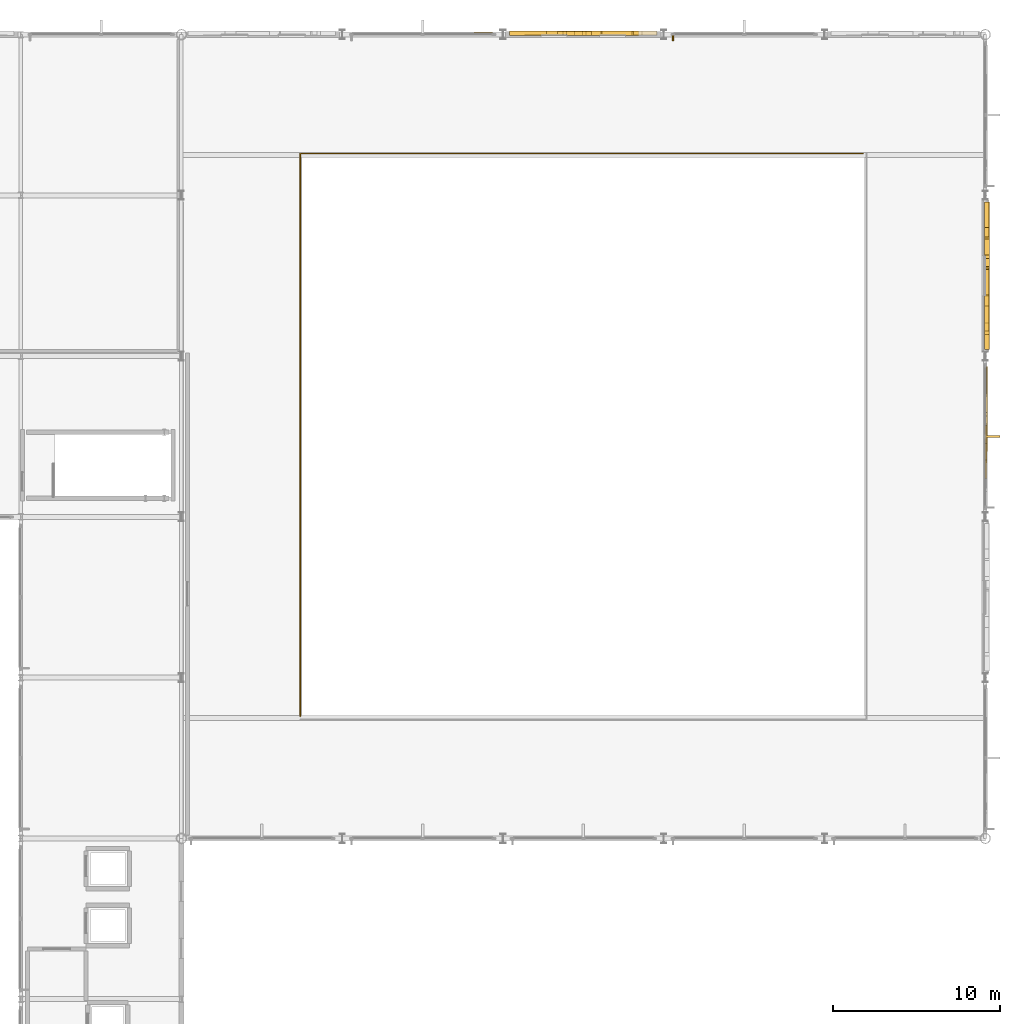
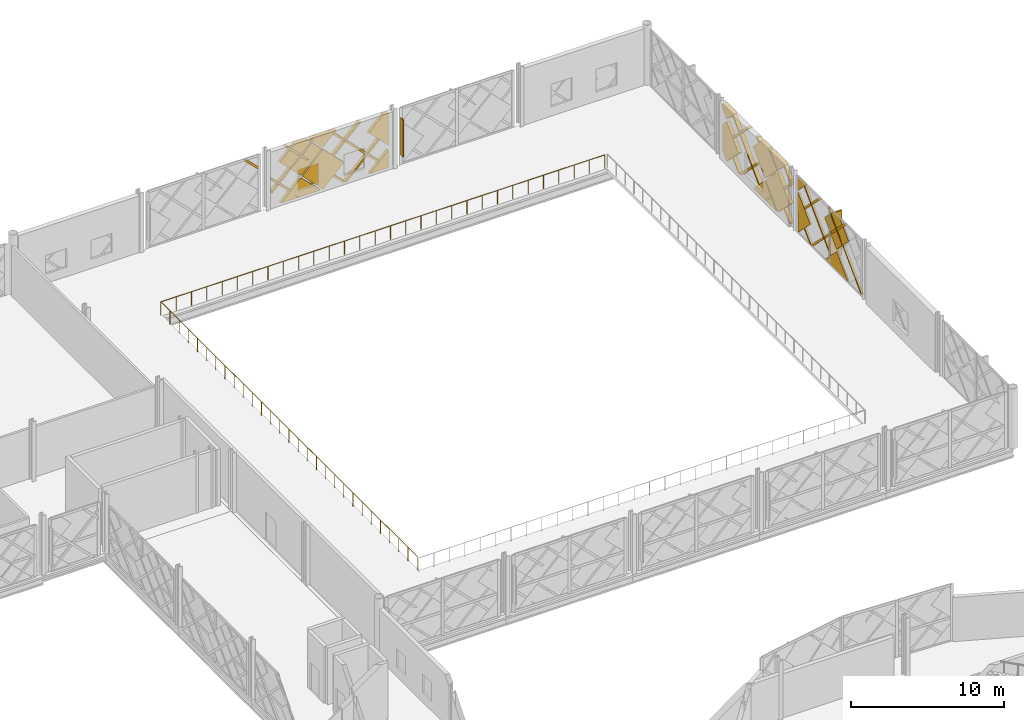
# One storey, part 76 of 77: 36 coverings, 1 railing, 1 shading device.
"""IFC4 building model written with IfcOpenShell, lengths in metres."""

from ifc_helpers import new_model, si_unit, direction, frame, origin, origin_2d, place, context, subcontext, project, spatial, polyline, rectangle, circle, outline, extrude, material, layer, layer_set, type_object, element, save


model = new_model("IFC4")

# Units and contexts
model_context = context("Model", 3, precision=1e-05, world=origin(), true_north=direction((0.0, 1.0)))
body_context = subcontext(model_context, "Body", "Model", "MODEL_VIEW")
ifc_project = project(units=[si_unit("LENGTHUNIT", "METRE"), si_unit("AREAUNIT", "SQUARE_METRE"), si_unit("VOLUMEUNIT", "CUBIC_METRE"), si_unit("PLANEANGLEUNIT", "RADIAN"), si_unit("MASSUNIT", "GRAM", prefix="KILO")], contexts=[model_context])

# Site, building, storey
site_placement = place(None, origin())
site = spatial("IfcSite", under=ifc_project, at=site_placement, CompositionType="ELEMENT")
building_placement = place(site_placement, origin())
building = spatial("IfcBuilding", under=site, at=building_placement, Name="Zevrakil Square Congress Hotel", CompositionType="ELEMENT")
storey_placement = place(building_placement, frame((0.0, 0.0, 9.89990234375)))
storey = spatial("IfcBuildingStorey", under=building, at=storey_placement, Name="L03", CompositionType="ELEMENT", Elevation=9.89990234375)

# Coverings
ifc_material_1 = material(Name="Architectural White Fibre-C GRC", Category="concrete")
ifc_layer_1 = layer(ifc_material_1, 0.06494140625)
ifc_layer_set_1 = layer_set([ifc_layer_1], Name="Architectural White Fibre-C GRC")
covering_type_1 = type_object("IfcCoveringType", Name="COV-DIA-WHITE", PredefinedType="CLADDING", material=ifc_layer_set_1)
covering_1_placement = place(storey_placement, frame((144.590087890625, 113.0, 0.080078125), z_axis=(0.0, 0.999999760125, 0.000692640526), x_axis=(1.0, 0.0, 0.0)))
element("IfcCovering", 1, at=covering_1_placement, inside=storey, type_object=covering_type_1, Name="L03 45-degree white GRC diamond facade cassette 813", PredefinedType="CLADDING", context=body_context, shape_type="SweptSolid", body=[
    extrude(outline(polyline([(0.0, 0.0), (1.409912109375, 0.0), (1.409912109375, -1.4099124475784228), (0.0, 0.0)])), origin(), (0.0, 0.0, -1.0), 0.239990234375),
])
covering_2_placement = place(storey_placement, frame((139.3798828125, 112.9990234375, 1.590087890625), z_axis=(0.0, 0.999999790873, 0.000646725815), x_axis=(-0.707049537273, 0.000457341227, -0.707163872579)))
element("IfcCovering", 2, at=covering_2_placement, inside=storey, type_object=covering_type_1, Name="L03 45-degree white GRC diamond facade cassette 814", PredefinedType="CLADDING", context=body_context, shape_type="SweptSolid", body=[
    extrude(outline(polyline([(0.0, 0.0), (2.135303886660825, 0.0), (0.00017309405212095896, -2.1354765061406087), (0.0, 0.0)])), origin(), (0.0, 0.0, -1.0), 0.239990234375),
])
covering_3_placement = place(storey_placement, frame((141.06005859375, 112.998046875, 3.27001953125), z_axis=(0.0, 0.999999811377, 0.000614203339), x_axis=(-0.707161000837, 0.000434274042, -0.707052424012)))
element("IfcCovering", 3, at=covering_3_placement, inside=storey, type_object=covering_type_1, Name="L03 45-degree white GRC diamond facade cassette 815", PredefinedType="CLADDING", context=body_context, shape_type="SweptSolid", body=[
    extrude(outline(polyline([(0.0, 0.0), (2.2485514454867683, 0.0), (2.2483792228863573, -2.248724065739994), (-0.0001721960923970478, -2.248378798790573), (0.0, 0.0)])), origin(), (0.0, 0.0, -1.0), 0.239990234375),
])
covering_4_placement = place(storey_placement, frame((144.510009765625, 112.998046875, 3.360107421875), z_axis=(6.6594553e-05, 0.999999832135, 0.0005755821), x_axis=(0.707106739346, 0.00035990858, -0.707106731433)))
element("IfcCovering", 4, at=covering_4_placement, inside=storey, type_object=covering_type_1, Name="L03 45-degree white GRC diamond facade cassette 816", PredefinedType="CLADDING", context=body_context, shape_type="SweptSolid", body=[
    extrude(outline(polyline([(0.0, 0.0), (2.1071645243865915, 0.0), (0.27569541471321635, -1.8314688986077599), (-2.548998729867691e-07, -1.5557731975905282), (0.0, 0.0)])), origin(), (0.0, 0.0, -1.0), 0.239990234375),
])
covering_5_placement = place(storey_placement, frame((137.7900390625, 112.998046875, 3.360107421875), z_axis=(0.0, 0.999999844268, 0.000558088716), x_axis=(0.707052454845, 0.000394658632, -0.707160993228)))
element("IfcCovering", 5, at=covering_5_placement, inside=storey, type_object=covering_type_1, Name="L03 45-degree white GRC diamond facade cassette 817", PredefinedType="CLADDING", context=body_context, shape_type="SweptSolid", body=[
    extrude(outline(polyline([(0.0, 0.0), (2.248551347367175, 2.220446049250313e-16), (2.248378472741789, -2.2487239675779023), (0.6927779042518377, -2.248777258240004), (-0.00029231210580393796, -1.5556005419386392), (0.0, 0.0)])), origin(), (0.0, 0.0, -1.0), 0.239990234375),
])
covering_6_placement = place(storey_placement, frame((141.06005859375, 112.997802734375, 3.4501953125), z_axis=(0.0, 0.999999883142, 0.000483442051), x_axis=(0.707106739871, -0.000341845173, 0.707106739871)))
element("IfcCovering", 6, at=covering_6_placement, inside=storey, type_object=covering_type_1, Name="L03 45-degree white GRC diamond facade cassette 818", PredefinedType="CLADDING", context=body_context, shape_type="SweptSolid", body=[
    extrude(outline(polyline([(0.0, 0.0), (1.4283695921344428, 0.0), (1.6691658821788025e-07, -1.4283695921344328), (0.0, 0.0)])), origin(), (0.0, 0.0, -1.0), 0.239990234375),
])
covering_7_placement = place(storey_placement, frame((165.694091796875, 87.8798828125, 1.590087890625), z_axis=(0.999999790873, 0.0, 0.000646725815), x_axis=(0.000457304257, 0.707106707249, -0.707106707249)))
element("IfcCovering", 7, at=covering_7_placement, inside=storey, type_object=covering_type_1, Name="L03 45-degree white GRC diamond facade cassette 960", PredefinedType="CLADDING", context=body_context, shape_type="SweptSolid", body=[
    extrude(outline(polyline([(0.0, 0.0), (2.1354765131557993, 0.0), (0.00017308005963778683, -2.1353038796462007), (0.0, 0.0)])), origin(), (0.0, 0.0, -1.0), 0.1201171875),
])
covering_8_placement = place(storey_placement, frame((165.69482421875, 92.919921875, 0.090087890625), z_axis=(0.99999985265, 7.1443995e-05, 0.00053814045), x_axis=(-0.00033003735, -0.707052453479, 0.707161027705)))
element("IfcCovering", 8, at=covering_8_placement, inside=storey, type_object=covering_type_1, Name="L03 45-degree white GRC diamond facade cassette 962", PredefinedType="CLADDING", context=body_context, shape_type="SweptSolid", body=[
    extrude(outline(polyline([(0.0, 0.0), (2.248551352687847, 0.0), (2.2487242910438643, -2.2483787987213666), (2.1639612648369457, -2.2485579518153447), (6.520815304625338e-06, -0.08493566967761251), (0.0, 0.0)])), origin(), (0.0, 0.0, -1.0), 0.1201171875),
])
covering_9_placement = place(storey_placement, frame((165.693115234375, 89.469970703125, 3.360107421875), z_axis=(0.999999844268, 0.0, 0.000558088716), x_axis=(0.000394628335, -0.70710674536, -0.707106706895)))
element("IfcCovering", 9, at=covering_9_placement, inside=storey, type_object=covering_type_1, Name="L03 45-degree white GRC diamond facade cassette 963", PredefinedType="CLADDING", context=body_context, shape_type="SweptSolid", body=[
    extrude(outline(polyline([(0.0, 0.0), (2.2487239742229237, 0.0), (2.248551112868532, -2.2485513407226647), (0.692950553054712, -2.2487240632897065), (-0.00017288020188344078, -1.5556005597963094), (0.0, 0.0)])), origin(), (0.0, 0.0, -1.0), 0.1201171875),
])
covering_10_placement = place(storey_placement, frame((165.69287109375, 92.919921875, 3.4501953125), z_axis=(0.999999882073, -2.5668016e-05, 0.000484968358), x_axis=(-0.00036107446, -0.707106739508, 0.707106730676)))
element("IfcCovering", 10, at=covering_10_placement, inside=storey, type_object=covering_type_1, Name="L03 45-degree white GRC diamond facade cassette 965", PredefinedType="CLADDING", context=body_context, shape_type="SweptSolid", body=[
    extrude(outline(polyline([(0.0, 0.0), (1.4283695918703618, 0.0), (0.6717170432219074, -0.7566526373474769), (-0.00017263400960761816, -0.08476303987563624), (0.0, 0.0)])), origin(), (0.0, 0.0, -1.0), 0.1201171875),
])
covering_11_placement = place(storey_placement, frame((165.8291015625, 97.260009765625, 1.590087890625), z_axis=(0.999999790873, 0.0, 0.000646725815), x_axis=(0.000457304257, 0.707106707249, -0.707106707249)))
element("IfcCovering", 11, at=covering_11_placement, inside=storey, type_object=covering_type_1, Name="L03 45-degree white GRC diamond facade cassette 994", PredefinedType="CLADDING", context=body_context, shape_type="SweptSolid", body=[
    extrude(outline(polyline([(0.0, 0.0), (2.1354765131557993, 0.0), (4.465861884739297e-07, -2.1354765131557527), (0.0, 0.0)])), origin(), (0.0, 0.0, -1.0), 0.27001953125),
])
covering_12_placement = place(storey_placement, frame((165.827880859375, 95.580078125, 3.27001953125), z_axis=(0.999999812555, 4.83356e-07, 0.000612281941), x_axis=(0.00043260699, 0.70710668122, -0.707106748819)))
element("IfcCovering", 12, at=covering_12_placement, inside=storey, type_object=covering_type_1, Name="L03 45-degree white GRC diamond facade cassette 995", PredefinedType="CLADDING", context=body_context, shape_type="SweptSolid", body=[
    extrude(outline(polyline([(0.0, 0.0), (2.2483789109981056, -2.220446049250313e-16), (2.24855196880534, -2.248551333034131), (0.013983947068839209, -2.248551541352838), (-0.00017199858623362374, -2.2343955997087206), (0.0, 0.0)])), origin(), (0.0, 0.0, -1.0), 0.27001953125),
])
covering_13_placement = place(storey_placement, frame((165.829833984375, 102.300048828125, 0.090087890625), z_axis=(0.999999815916, 1.5809711e-05, 0.000606562844), x_axis=(-0.000417725569, -0.707106748129, 0.707106690858)))
element("IfcCovering", 13, at=covering_13_placement, inside=storey, type_object=covering_type_1, Name="L03 45-degree white GRC diamond facade cassette 996", PredefinedType="CLADDING", context=body_context, shape_type="SweptSolid", body=[
    extrude(outline(polyline([(0.0, 0.0), (2.248723970043293, 2.220446049250313e-16), (2.2485517554272336, -2.2485515462893146), (1.5414448319663019, -2.2485514327597276), (7.334840868011838e-08, -0.7071068201548574), (0.0, 0.0)])), origin(), (0.0, 0.0, -1.0), 0.27001953125),
])
covering_14_placement = place(storey_placement, frame((165.827880859375, 98.85009765625, 3.360107421875), z_axis=(0.999999857823, 0.0, 0.000533248852), x_axis=(0.000377063915, -0.707106715666, -0.707106746173)))
element("IfcCovering", 14, at=covering_14_placement, inside=storey, type_object=covering_type_1, Name="L03 45-degree white GRC diamond facade cassette 997", PredefinedType="CLADDING", context=body_context, shape_type="SweptSolid", body=[
    extrude(outline(polyline([(0.0, 0.0), (2.2487240686549486, 0.0), (2.248723651919274, -2.2487240686549095), (0.6929505530001567, -2.2487239980117497), (-2.1767418434404107e-07, -1.5557730989191039), (0.0, 0.0)])), origin(), (0.0, 0.0, -1.0), 0.27001953125),
])
covering_15_placement = place(storey_placement, frame((165.827880859375, 95.580078125, 3.4501953125), z_axis=(0.999999883142, 0.0, 0.000483442051), x_axis=(-0.000341845173, -0.707106739871, 0.707106739871)))
element("IfcCovering", 15, at=covering_15_placement, inside=storey, type_object=covering_type_1, Name="L03 45-degree white GRC diamond facade cassette 998", PredefinedType="CLADDING", context=body_context, shape_type="SweptSolid", body=[
    extrude(outline(polyline([(0.0, 0.0), (1.4283695921344428, 0.0), (1.6691658821788025e-07, -1.4283695921344328), (0.0, 0.0)])), origin(), (0.0, 0.0, -1.0), 0.27001953125),
])
covering_16_placement = place(storey_placement, frame((165.827880859375, 102.300048828125, 3.4501953125), z_axis=(0.999999883469, 1.372816e-06, 0.000482762446), x_axis=(-0.000340393892, -0.70710673987, 0.707106740572)))
element("IfcCovering", 16, at=covering_16_placement, inside=storey, type_object=covering_type_1, Name="L03 45-degree white GRC diamond facade cassette 999", PredefinedType="CLADDING", context=body_context, shape_type="SweptSolid", body=[
    extrude(outline(polyline([(0.0, 0.0), (1.4283695921329382, 1.1102230246251565e-16), (0.3606315095904147, -1.067738207318154), (8.3455285626588e-08, -0.7071068233303512), (0.0, 0.0)])), origin(), (0.0, 0.0, -1.0), 0.27001953125),
])
ifc_material_2 = material(Name="Anodised Champagne Aluminium", Category="aluminium")
ifc_layer_2 = layer(ifc_material_2, 0.0849609375)
ifc_layer_set_2 = layer_set([ifc_layer_2], Name="Anodised Champagne Aluminium")
covering_type_2 = type_object("IfcCoveringType", Name="COV-DIAGRID-45", PredefinedType="MOLDING", material=ifc_layer_set_2)
covering_17_placement = place(storey_placement, frame((136.179931640625, 112.91796875, 3.35400390625), z_axis=(-0.000366210888, 0.99999986589, 0.000366210888), x_axis=(1.3411e-07, -0.000366210864, 0.999999932945)))
element("IfcCovering", 17, at=covering_17_placement, inside=storey, type_object=covering_type_2, Name="L03 45-degree aluminium diagrid rib 793", PredefinedType="MOLDING", context=body_context, shape_type="SweptSolid", body=[
    extrude(outline(polyline([(0.0, 0.0), (0.21215818889868723, 0.0), (1.1062012460515567, -0.8937990364120078), (1.10620121759893, -1.105957225310693), (0.0, 0.0)])), origin(), (0.0, 0.0, -1.0), 0.14501953125),
])
covering_18_placement = place(storey_placement, frame((145.913818359375, 113.02490234375, 0.080078125), z_axis=(-0.000183854233, 0.999999888676, 0.000434564551), x_axis=(0.999999983099, 0.000183854216, 7.9897e-08)))
element("IfcCovering", 18, at=covering_18_placement, inside=storey, type_object=covering_type_2, Name="L03 45-degree aluminium diagrid rib 820", PredefinedType="MOLDING", context=body_context, shape_type="SweptSolid", body=[
    extrude(outline(polyline([(0.0, 0.0), (0.08618163916842775, 0.0), (0.08618164925302442, -0.12622069120683954), (-4.16772468272765, -4.380127706582967), (-4.379882882266924, -4.380127706582967), (0.0, 0.0)])), origin(), (0.0, 0.0, -1.0), 0.264892578125),
])
covering_19_placement = place(storey_placement, frame((142.553955078125, 113.02490234375, 0.080078125), z_axis=(0.0, 0.999999812042, 0.00061312067), x_axis=(1.0, 0.0, 0.0)))
element("IfcCovering", 19, at=covering_19_placement, inside=storey, type_object=covering_type_2, Name="L03 45-degree aluminium diagrid rib 821", PredefinedType="MOLDING", context=body_context, shape_type="SweptSolid", body=[
    extrude(outline(polyline([(0.0, 0.0), (0.212158203125, 0.0), (-4.16796875, -4.380127776407226), (-4.380126953125, -4.380127776407226), (0.0, 0.0)])), origin(), (0.0, 0.0, -1.0), 0.264892578125),
])
covering_20_placement = place(storey_placement, frame((139.19384765625, 113.02490234375, 0.080078125), z_axis=(-0.000290646956, 0.999999915524, 0.000290646956), x_axis=(0.999999957762, 0.000290646943, 8.4476e-08)))
element("IfcCovering", 20, at=covering_20_placement, inside=storey, type_object=covering_type_2, Name="L03 45-degree aluminium diagrid rib 822", PredefinedType="MOLDING", context=body_context, shape_type="SweptSolid", body=[
    extrude(outline(polyline([(0.0, 0.0), (0.21215819416389847, -2.8078904387053947e-24), (-1.9938965685928591, -2.2060549491146975), (-1.9938965865150626, -1.9938967549507998), (0.0, 0.0)])), origin(), (0.0, 0.0, -1.0), 0.264892578125),
])
covering_21_placement = place(storey_placement, frame((146.0, 113.023193359375, 3.154052734375), z_axis=(-0.000287477056, 0.99999958606, 0.000863270454), x_axis=(-8.2643e-08, -0.000863270513, 0.999999627382)))
element("IfcCovering", 21, at=covering_21_placement, inside=storey, type_object=covering_type_2, Name="L03 45-degree aluminium diagrid rib 823", PredefinedType="MOLDING", context=body_context, shape_type="SweptSolid", body=[
    extrude(outline(polyline([(0.0, 0.0), (0.21215833483042407, 1.3234889800848443e-23), (-3.0739746676964605, -3.286133202330571), (-3.073974685229852, -3.0739750079722734), (0.0, 0.0)])), origin(), (0.0, 0.0, -1.0), 0.264892578125),
])
covering_22_placement = place(storey_placement, frame((143.946044921875, 113.022216796875, 4.460205078125), z_axis=(0.0, 0.999999812042, 0.00061312067), x_axis=(-1.0, 0.0, 0.0)))
element("IfcCovering", 22, at=covering_22_placement, inside=storey, type_object=covering_type_2, Name="L03 45-degree aluminium diagrid rib 824", PredefinedType="MOLDING", context=body_context, shape_type="SweptSolid", body=[
    extrude(outline(polyline([(0.0, 0.0), (0.212158203125, 0.0), (4.592041015625, -4.380127776407226), (4.3798828125, -4.380127776407226), (0.0, 0.0)])), origin(), (0.0, 0.0, -1.0), 0.264892578125),
])
covering_23_placement = place(storey_placement, frame((140.586181640625, 113.022216796875, 4.460205078125), z_axis=(-0.000258903582, 0.999999569057, 0.000891545976), x_axis=(-0.999999966484, -0.000258903479, -2.30824e-07)))
element("IfcCovering", 23, at=covering_23_placement, inside=storey, type_object=covering_type_2, Name="L03 45-degree aluminium diagrid rib 825", PredefinedType="MOLDING", context=body_context, shape_type="SweptSolid", body=[
    extrude(outline(polyline([(0.0, 0.0), (0.2124023366312223, -5.62224322594636e-24), (3.386230582241323, -3.1740727454630786), (3.386230568003767, -3.386231081933233), (0.0, 0.0)])), origin(), (0.0, 0.0, -1.0), 0.264892578125),
])
covering_24_placement = place(storey_placement, frame((165.719970703125, 84.7060546875, 0.080078125), z_axis=(0.999999888672, 0.000183857306, 0.000434571815), x_axis=(0.000183857289, -0.999999983098, 7.9899e-08)))
element("IfcCovering", 24, at=covering_24_placement, inside=storey, type_object=covering_type_2, Name="L03 45-degree aluminium diagrid rib 967", PredefinedType="MOLDING", context=body_context, shape_type="SweptSolid", body=[
    extrude(outline(polyline([(0.0, 0.0), (0.08593749854750544, 0.0), (0.08593750863243922, -0.12622069120644114), (-4.167724682721849, -4.380127706588648), (-4.380127022881877, -4.380127706588648), (0.0, 0.0)])), origin(), (0.0, 0.0, -1.0), 0.14501953125),
])
covering_25_placement = place(storey_placement, frame((165.719970703125, 88.066162109375, 0.080078125), z_axis=(0.999999812042, 0.0, 0.00061312067), x_axis=(0.0, -1.0, 0.0)))
element("IfcCovering", 25, at=covering_25_placement, inside=storey, type_object=covering_type_2, Name="L03 45-degree aluminium diagrid rib 968", PredefinedType="MOLDING", context=body_context, shape_type="SweptSolid", body=[
    extrude(outline(polyline([(0.0, 0.0), (0.212158203125, 0.0), (-4.167724609375, -4.380127776407226), (-4.3798828125, -4.380127776407226), (0.0, 0.0)])), origin(), (0.0, 0.0, -1.0), 0.14501953125),
])
covering_26_placement = place(storey_placement, frame((165.719970703125, 91.426025390625, 0.080078125), z_axis=(0.999999913482, 0.000294139249, 0.000294139249), x_axis=(0.000294139237, -0.999999956741, 8.6518e-08)))
element("IfcCovering", 26, at=covering_26_placement, inside=storey, type_object=covering_type_2, Name="L03 45-degree aluminium diagrid rib 969", PredefinedType="MOLDING", context=body_context, shape_type="SweptSolid", body=[
    extrude(outline(polyline([(0.0, 0.0), (0.2121581939472589, 0.0), (-1.553955145347468, -1.7661134920951609), (-1.5539551637029505, -1.5539552981479028), (0.0, 0.0)])), origin(), (0.0, 0.0, -1.0), 0.14501953125),
])
covering_27_placement = place(storey_placement, frame((165.71728515625, 86.673828125, 4.460205078125), z_axis=(0.999999812042, 0.0, 0.00061312067), x_axis=(0.0, 1.0, 0.0)))
element("IfcCovering", 27, at=covering_27_placement, inside=storey, type_object=covering_type_2, Name="L03 45-degree aluminium diagrid rib 971", PredefinedType="MOLDING", context=body_context, shape_type="SweptSolid", body=[
    extrude(outline(polyline([(0.0, 0.0), (0.212158203125, 0.0), (4.59228515625, -4.380127776407226), (4.380126953125, -4.380127776407226), (0.0, 0.0)])), origin(), (0.0, 0.0, -1.0), 0.14501953125),
])
covering_28_placement = place(storey_placement, frame((165.71728515625, 90.033935546875, 4.460205078125), z_axis=(0.999999909474, -0.000301047678, 0.000300701646), x_axis=(0.000301047664, 0.999999954685, 9.0526e-08)))
element("IfcCovering", 28, at=covering_28_placement, inside=storey, type_object=covering_type_2, Name="L03 45-degree aluminium diagrid rib 972", PredefinedType="MOLDING", context=body_context, shape_type="SweptSolid", body=[
    extrude(outline(polyline([(0.0, 0.0), (0.21215819351108217, 0.0), (2.9460450553746, -2.7338871090433825), (2.9460450361467636, -2.9462894431905147), (0.0, 0.0)])), origin(), (0.0, 0.0, -1.0), 0.14501953125),
])
covering_29_placement = place(storey_placement, frame((165.85302734375, 94.0, 3.35400390625), z_axis=(0.999999576024, -0.000270096423, 0.000880340263), x_axis=(-0.000880340315, -7.3036e-08, 0.9999996125)))
element("IfcCovering", 29, at=covering_29_placement, inside=storey, type_object=covering_type_2, Name="L03 45-degree aluminium diagrid rib 1000", PredefinedType="MOLDING", context=body_context, shape_type="SweptSolid", body=[
    extrude(outline(polyline([(0.0, 0.0), (0.2121583358406131, -1.3234889800848443e-23), (1.106201322723504, -0.8937989415197468), (1.1062013072104904, -1.10620127752215), (0.0, 0.0)])), origin(), (0.0, 0.0, -1.0), 0.294921875),
])
covering_30_placement = place(storey_placement, frame((165.85498046875, 94.086181640625, 0.080078125), z_axis=(0.999999888676, 0.000183854233, 0.000434564551), x_axis=(0.000183854216, -0.999999983099, 7.9897e-08)))
element("IfcCovering", 30, at=covering_30_placement, inside=storey, type_object=covering_type_2, Name="L03 45-degree aluminium diagrid rib 1001", PredefinedType="MOLDING", context=body_context, shape_type="SweptSolid", body=[
    extrude(outline(polyline([(0.0, 0.0), (0.08618163916842775, 0.0), (0.08618164925302442, -0.12622069120683954), (-4.16772468272765, -4.380127706582967), (-4.379882882266924, -4.380127706582967), (0.0, 0.0)])), origin(), (0.0, 0.0, -1.0), 0.294921875),
])
covering_31_placement = place(storey_placement, frame((165.85498046875, 97.446044921875, 0.080078125), z_axis=(0.999999812042, 0.0, 0.00061312067), x_axis=(0.0, -1.0, 0.0)))
element("IfcCovering", 31, at=covering_31_placement, inside=storey, type_object=covering_type_2, Name="L03 45-degree aluminium diagrid rib 1002", PredefinedType="MOLDING", context=body_context, shape_type="SweptSolid", body=[
    extrude(outline(polyline([(0.0, 0.0), (0.212158203125, 0.0), (-4.16796875, -4.380127776407226), (-4.380126953125, -4.380127776407226), (0.0, 0.0)])), origin(), (0.0, 0.0, -1.0), 0.294921875),
])
covering_32_placement = place(storey_placement, frame((165.85498046875, 100.80615234375, 0.080078125), z_axis=(0.999999566729, -0.000255662204, 0.000895085283), x_axis=(-0.000255662102, -0.999999967318, -2.28839e-07)))
element("IfcCovering", 32, at=covering_32_placement, inside=storey, type_object=covering_type_2, Name="L03 45-degree aluminium diagrid rib 1003", PredefinedType="MOLDING", context=body_context, shape_type="SweptSolid", body=[
    extrude(outline(polyline([(0.0, 0.0), (0.2121581961913343, 1.1231561754821579e-23), (-1.993896549538693, -2.20605511493902), (-1.9938965634060246, -1.9938967782755617), (0.0, 0.0)])), origin(), (0.0, 0.0, -1.0), 0.294921875),
])
covering_33_placement = place(storey_placement, frame((165.85302734375, 94.0, 3.154052734375), z_axis=(0.999999905696, -0.00030708991, 0.00030708991), x_axis=(-0.000307089896, 9.4304e-08, 0.999999952848)))
element("IfcCovering", 33, at=covering_33_placement, inside=storey, type_object=covering_type_2, Name="L03 45-degree aluminium diagrid rib 1004", PredefinedType="MOLDING", context=body_context, shape_type="SweptSolid", body=[
    extrude(outline(polyline([(0.0, 0.0), (0.2121581931212936, 0.0), (-3.0739747543193885, -3.2861332573369064), (-3.073974774326802, -3.0739750642156136), (0.0, 0.0)])), origin(), (0.0, 0.0, -1.0), 0.294921875),
])
covering_34_placement = place(storey_placement, frame((165.852294921875, 96.053955078125, 4.460205078125), z_axis=(0.999999812042, 0.0, 0.00061312067), x_axis=(0.0, 1.0, 0.0)))
element("IfcCovering", 34, at=covering_34_placement, inside=storey, type_object=covering_type_2, Name="L03 45-degree aluminium diagrid rib 1005", PredefinedType="MOLDING", context=body_context, shape_type="SweptSolid", body=[
    extrude(outline(polyline([(0.0, 0.0), (0.212158203125, 0.0), (4.592041015625, -4.380127776407226), (4.3798828125, -4.380127776407226), (0.0, 0.0)])), origin(), (0.0, 0.0, -1.0), 0.294921875),
])
covering_35_placement = place(storey_placement, frame((165.852294921875, 99.413818359375, 4.460205078125), z_axis=(0.999999569057, 0.000258903582, 0.000891545976), x_axis=(-0.000258903479, 0.999999966484, -2.30824e-07)))
element("IfcCovering", 35, at=covering_35_placement, inside=storey, type_object=covering_type_2, Name="L03 45-degree aluminium diagrid rib 1006", PredefinedType="MOLDING", context=body_context, shape_type="SweptSolid", body=[
    extrude(outline(polyline([(0.0, 0.0), (0.2124023366312223, -5.62224322594636e-24), (3.386230582241323, -3.1740727454630786), (3.386230568003767, -3.386231081933233), (0.0, 0.0)])), origin(), (0.0, 0.0, -1.0), 0.294921875),
])
ifc_material_3 = material(Name="Architectural White Fibre-C GRC", Category="concrete")
ifc_layer_3 = layer(ifc_material_3, 0.139892578125)
ifc_layer_set_3 = layer_set([ifc_layer_3], Name="Architectural White Fibre-C GRC")
covering_type_3 = type_object("IfcCoveringType", Name="COV-FIN-GRC90", PredefinedType="MOLDING", material=ifc_layer_set_3)
covering_36_placement = place(storey_placement, frame((166.02001953125, 88.800048828125, 0.469970703125), z_axis=(0.0, 0.0, 1.0), x_axis=(1.0, 0.0, 0.0)))
element("IfcCovering", 36, at=covering_36_placement, inside=storey, type_object=covering_type_3, Name="L03 highland sun-breaker GRC fin 973", PredefinedType="MOLDING", context=body_context, shape_type="SweptSolid", body=[
    extrude(rectangle(XDim=0.89990234375, YDim=0.139892578125, at=origin_2d()), origin(), (0.0, 0.0, 1.0), 3.60009765625),
])

# Railing
ifc_material_4 = material(Name="Steel S355", Category="steel")
railing_type = type_object("IfcRailingType", Name="RLG-TERR-1100", PredefinedType="BALUSTRADE", material=ifc_material_4)
railing_placement = place(storey_placement, frame((158.300048828125, 105.699951171875, 0.0)))
element("IfcRailing", 37, at=railing_placement, inside=storey, type_object=railing_type, Name="L03 terrace and void safety balustrade guard 44", PredefinedType="BALUSTRADE", context=body_context, shape_type="SweptSolid", body=[
    extrude(circle(Radius=0.02392578125, at=origin_2d()), frame((0.0, 0.0, 1.076171875), z_axis=(-1.0, 0.0, 0.0), x_axis=(0.0, -1.0, 0.0)), (0.0, 0.0, 1.0), 33.60009765625),
    extrude(circle(Radius=0.02392578125, at=origin_2d()), frame((-33.60009765625, 0.0, 1.076171875), z_axis=(0.0, -1.0, 0.0), x_axis=(1.0, 0.0, 0.0)), (0.0, 0.0, 1.0), 33.599853515625),
    extrude(circle(Radius=0.02099609375, at=origin_2d()), origin(), (0.0, 0.0, 1.0), 1.052001953125),
    extrude(circle(Radius=0.02099609375, at=origin_2d()), frame((-1.15869140625, 0.0, 0.0)), (0.0, 0.0, 1.0), 1.052001953125),
    extrude(circle(Radius=0.02099609375, at=origin_2d()), frame((-2.317138671875, 0.0, 0.0)), (0.0, 0.0, 1.0), 1.052001953125),
    extrude(circle(Radius=0.02099609375, at=origin_2d()), frame((-3.475830078125, 0.0, 0.0)), (0.0, 0.0, 1.0), 1.052001953125),
    extrude(circle(Radius=0.02099609375, at=origin_2d()), frame((-4.634521484375, 0.0, 0.0)), (0.0, 0.0, 1.0), 1.052001953125),
    extrude(circle(Radius=0.02099609375, at=origin_2d()), frame((-5.793212890625, 0.0, 0.0)), (0.0, 0.0, 1.0), 1.052001953125),
    extrude(circle(Radius=0.02099609375, at=origin_2d()), frame((-6.95166015625, 0.0, 0.0)), (0.0, 0.0, 1.0), 1.052001953125),
    extrude(circle(Radius=0.02099609375, at=origin_2d()), frame((-8.1103515625, 0.0, 0.0)), (0.0, 0.0, 1.0), 1.052001953125),
    extrude(circle(Radius=0.02099609375, at=origin_2d()), frame((-9.26904296875, 0.0, 0.0)), (0.0, 0.0, 1.0), 1.052001953125),
    extrude(circle(Radius=0.02099609375, at=origin_2d()), frame((-10.427734375, 0.0, 0.0)), (0.0, 0.0, 1.0), 1.052001953125),
    extrude(circle(Radius=0.02099609375, at=origin_2d()), frame((-11.586181640625, 0.0, 0.0)), (0.0, 0.0, 1.0), 1.052001953125),
    extrude(circle(Radius=0.02099609375, at=origin_2d()), frame((-12.744873046875, 0.0, 0.0)), (0.0, 0.0, 1.0), 1.052001953125),
    extrude(circle(Radius=0.02099609375, at=origin_2d()), frame((-13.903564453125, 0.0, 0.0)), (0.0, 0.0, 1.0), 1.052001953125),
    extrude(circle(Radius=0.02099609375, at=origin_2d()), frame((-15.06201171875, 0.0, 0.0)), (0.0, 0.0, 1.0), 1.052001953125),
    extrude(circle(Radius=0.02099609375, at=origin_2d()), frame((-16.220703125, 0.0, 0.0)), (0.0, 0.0, 1.0), 1.052001953125),
    extrude(circle(Radius=0.02099609375, at=origin_2d()), frame((-17.37939453125, 0.0, 0.0)), (0.0, 0.0, 1.0), 1.052001953125),
    extrude(circle(Radius=0.02099609375, at=origin_2d()), frame((-18.5380859375, 0.0, 0.0)), (0.0, 0.0, 1.0), 1.052001953125),
    extrude(circle(Radius=0.02099609375, at=origin_2d()), frame((-19.696533203125, 0.0, 0.0)), (0.0, 0.0, 1.0), 1.052001953125),
    extrude(circle(Radius=0.02099609375, at=origin_2d()), frame((-20.855224609375, 0.0, 0.0)), (0.0, 0.0, 1.0), 1.052001953125),
    extrude(circle(Radius=0.02099609375, at=origin_2d()), frame((-22.013916015625, 0.0, 0.0)), (0.0, 0.0, 1.0), 1.052001953125),
    extrude(circle(Radius=0.02099609375, at=origin_2d()), frame((-23.17236328125, 0.0, 0.0)), (0.0, 0.0, 1.0), 1.052001953125),
    extrude(circle(Radius=0.02099609375, at=origin_2d()), frame((-24.3310546875, 0.0, 0.0)), (0.0, 0.0, 1.0), 1.052001953125),
    extrude(circle(Radius=0.02099609375, at=origin_2d()), frame((-25.48974609375, 0.0, 0.0)), (0.0, 0.0, 1.0), 1.052001953125),
    extrude(circle(Radius=0.02099609375, at=origin_2d()), frame((-26.6484375, 0.0, 0.0)), (0.0, 0.0, 1.0), 1.052001953125),
    extrude(circle(Radius=0.02099609375, at=origin_2d()), frame((-27.806884765625, 0.0, 0.0)), (0.0, 0.0, 1.0), 1.052001953125),
    extrude(circle(Radius=0.02099609375, at=origin_2d()), frame((-28.965576171875, 0.0, 0.0)), (0.0, 0.0, 1.0), 1.052001953125),
    extrude(circle(Radius=0.02099609375, at=origin_2d()), frame((-30.124267578125, 0.0, 0.0)), (0.0, 0.0, 1.0), 1.052001953125),
    extrude(circle(Radius=0.02099609375, at=origin_2d()), frame((-31.282958984375, 0.0, 0.0)), (0.0, 0.0, 1.0), 1.052001953125),
    extrude(circle(Radius=0.02099609375, at=origin_2d()), frame((-32.44140625, 0.0, 0.0)), (0.0, 0.0, 1.0), 1.052001953125),
    extrude(circle(Radius=0.02099609375, at=origin_2d()), frame((-33.60009765625, 0.0, 0.0)), (0.0, 0.0, 1.0), 1.052001953125),
    extrude(circle(Radius=0.02099609375, at=origin_2d()), frame((-33.60009765625, -1.199951171875, 0.0)), (0.0, 0.0, 1.0), 1.052001953125),
    extrude(circle(Radius=0.02099609375, at=origin_2d()), frame((-33.60009765625, -2.39990234375, 0.0)), (0.0, 0.0, 1.0), 1.052001953125),
    extrude(circle(Radius=0.02099609375, at=origin_2d()), frame((-33.60009765625, -3.60009765625, 0.0)), (0.0, 0.0, 1.0), 1.052001953125),
    extrude(circle(Radius=0.02099609375, at=origin_2d()), frame((-33.60009765625, -4.800048828125, 0.0)), (0.0, 0.0, 1.0), 1.052001953125),
    extrude(circle(Radius=0.02099609375, at=origin_2d()), frame((-33.60009765625, -6.0, 0.0)), (0.0, 0.0, 1.0), 1.052001953125),
    extrude(circle(Radius=0.02099609375, at=origin_2d()), frame((-33.60009765625, -7.199951171875, 0.0)), (0.0, 0.0, 1.0), 1.052001953125),
    extrude(circle(Radius=0.02099609375, at=origin_2d()), frame((-33.60009765625, -8.39990234375, 0.0)), (0.0, 0.0, 1.0), 1.052001953125),
    extrude(circle(Radius=0.02099609375, at=origin_2d()), frame((-33.60009765625, -9.599853515625, 0.0)), (0.0, 0.0, 1.0), 1.052001953125),
    extrude(circle(Radius=0.02099609375, at=origin_2d()), frame((-33.60009765625, -10.800048828125, 0.0)), (0.0, 0.0, 1.0), 1.052001953125),
    extrude(circle(Radius=0.02099609375, at=origin_2d()), frame((-33.60009765625, -12.0, 0.0)), (0.0, 0.0, 1.0), 1.052001953125),
    extrude(circle(Radius=0.02099609375, at=origin_2d()), frame((-33.60009765625, -13.199951171875, 0.0)), (0.0, 0.0, 1.0), 1.052001953125),
    extrude(circle(Radius=0.02099609375, at=origin_2d()), frame((-33.60009765625, -14.39990234375, 0.0)), (0.0, 0.0, 1.0), 1.052001953125),
    extrude(circle(Radius=0.02099609375, at=origin_2d()), frame((-33.60009765625, -15.599853515625, 0.0)), (0.0, 0.0, 1.0), 1.052001953125),
    extrude(circle(Radius=0.02099609375, at=origin_2d()), frame((-33.60009765625, -16.7998046875, 0.0)), (0.0, 0.0, 1.0), 1.052001953125),
    extrude(circle(Radius=0.02099609375, at=origin_2d()), frame((-33.60009765625, -18.0, 0.0)), (0.0, 0.0, 1.0), 1.052001953125),
    extrude(circle(Radius=0.02099609375, at=origin_2d()), frame((-33.60009765625, -19.199951171875, 0.0)), (0.0, 0.0, 1.0), 1.052001953125),
    extrude(circle(Radius=0.02099609375, at=origin_2d()), frame((-33.60009765625, -20.39990234375, 0.0)), (0.0, 0.0, 1.0), 1.052001953125),
    extrude(circle(Radius=0.02099609375, at=origin_2d()), frame((-33.60009765625, -21.599853515625, 0.0)), (0.0, 0.0, 1.0), 1.052001953125),
    extrude(circle(Radius=0.02099609375, at=origin_2d()), frame((-33.60009765625, -22.7998046875, 0.0)), (0.0, 0.0, 1.0), 1.052001953125),
    extrude(circle(Radius=0.02099609375, at=origin_2d()), frame((-33.60009765625, -24.0, 0.0)), (0.0, 0.0, 1.0), 1.052001953125),
    extrude(circle(Radius=0.02099609375, at=origin_2d()), frame((-33.60009765625, -25.199951171875, 0.0)), (0.0, 0.0, 1.0), 1.052001953125),
    extrude(circle(Radius=0.02099609375, at=origin_2d()), frame((-33.60009765625, -26.39990234375, 0.0)), (0.0, 0.0, 1.0), 1.052001953125),
    extrude(circle(Radius=0.02099609375, at=origin_2d()), frame((-33.60009765625, -27.599853515625, 0.0)), (0.0, 0.0, 1.0), 1.052001953125),
    extrude(circle(Radius=0.02099609375, at=origin_2d()), frame((-33.60009765625, -28.7998046875, 0.0)), (0.0, 0.0, 1.0), 1.052001953125),
    extrude(circle(Radius=0.02099609375, at=origin_2d()), frame((-33.60009765625, -29.999755859375, 0.0)), (0.0, 0.0, 1.0), 1.052001953125),
    extrude(circle(Radius=0.02099609375, at=origin_2d()), frame((-33.60009765625, -31.199951171875, 0.0)), (0.0, 0.0, 1.0), 1.052001953125),
    extrude(circle(Radius=0.02099609375, at=origin_2d()), frame((-33.60009765625, -32.39990234375, 0.0)), (0.0, 0.0, 1.0), 1.052001953125),
    extrude(circle(Radius=0.02099609375, at=origin_2d()), frame((-33.60009765625, -33.599853515625, 0.0)), (0.0, 0.0, 1.0), 1.052001953125),
])

# Shading device
ifc_material_5 = material(Name="Aluminium Anodised Bronze", Category="aluminium")
shading_device_type = type_object("IfcShadingDeviceType", Name="SHD-FIN-35", PredefinedType="JALOUSIE", material=ifc_material_5)
shading_device_placement = place(storey_placement, frame((146.9599609375, 112.60498046875, 0.77001953125), z_axis=(0.0, 0.0, 1.0), x_axis=(0.0, -1.0, 0.0)))
element("IfcShadingDevice", 38, at=shading_device_placement, inside=storey, type_object=shading_device_type, Name="L03 aluminium solar shading fin 48", PredefinedType="JALOUSIE", context=body_context, shape_type="SweptSolid", body=[
    extrude(rectangle(XDim=0.35009765625, YDim=0.080078125, at=origin_2d()), origin(), (0.0, 0.0, 1.0), 3.0),
])

save(model, "model.ifc")
